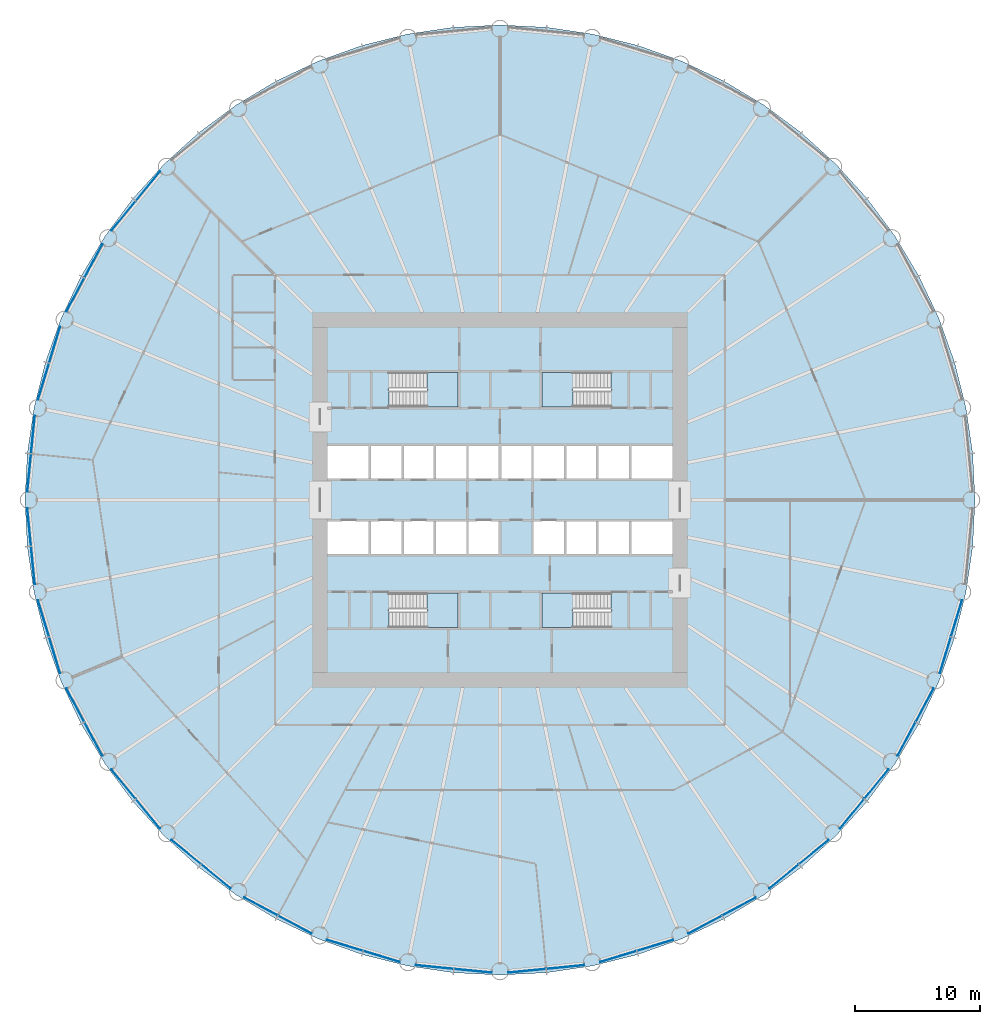
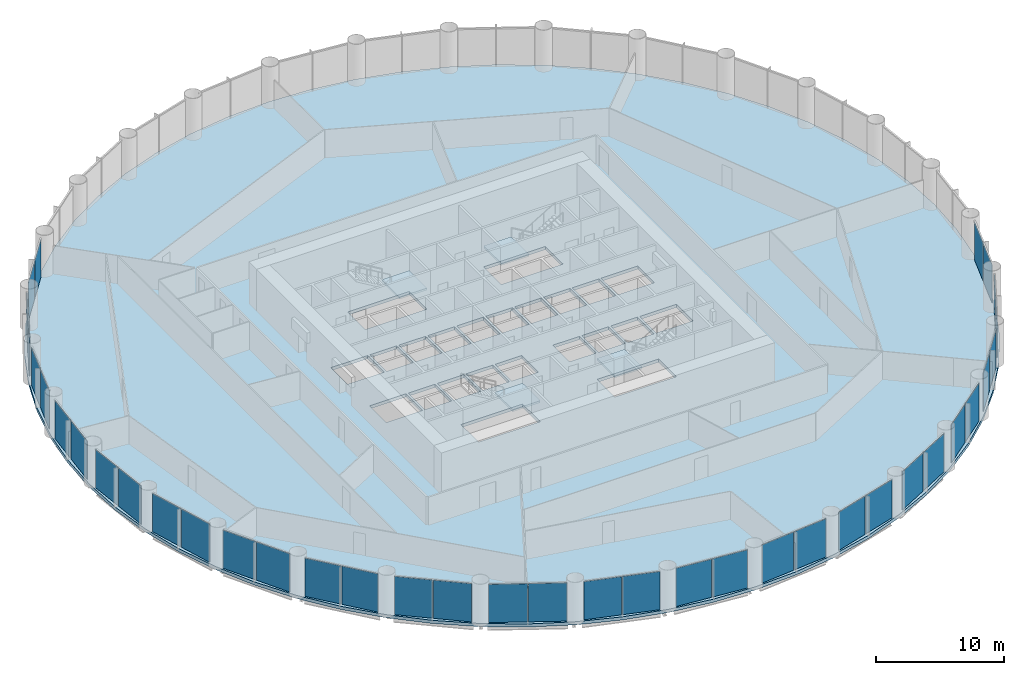
# One storey, part 8 of 15: 38 plates, 5 slabs, 23 elements without a shape of their own.
"""IFC4 building model written with IfcOpenShell, lengths in metres."""

from ifc_helpers import new_model, si_unit, direction, frame, origin, origin_2d, place, context, subcontext, project, spatial, polyline, rectangle, outline, extrude, material, layer, layer_set, type_object, element, aggregate, save


model = new_model("IFC4")

# Units and contexts
model_context = context("Model", 3, precision=1e-05, world=origin(), true_north=direction((0.0, 1.0)))
body_context = subcontext(model_context, "Body", "Model", "MODEL_VIEW")
ifc_project = project(units=[si_unit("LENGTHUNIT", "METRE"), si_unit("AREAUNIT", "SQUARE_METRE"), si_unit("VOLUMEUNIT", "CUBIC_METRE"), si_unit("PLANEANGLEUNIT", "RADIAN"), si_unit("MASSUNIT", "GRAM", prefix="KILO")], contexts=[model_context])

# Site, building, storey
site_placement = place(None, origin())
site = spatial("IfcSite", under=ifc_project, at=site_placement, CompositionType="ELEMENT")
building_placement = place(site_placement, origin())
building = spatial("IfcBuilding", under=site, at=building_placement, Name="Corvane Civic Tower", CompositionType="ELEMENT")
storey_placement = place(building_placement, frame((0.0, 0.0, 61.0)))
storey = spatial("IfcBuildingStorey", under=building, at=storey_placement, Name="L13", CompositionType="ELEMENT", Elevation=61.0)

# Slab
ifc_material_1 = material(Name="Concrete C40/50", Category="concrete")
ifc_layer_1 = layer(ifc_material_1, 0.300048828125)
ifc_layer_set_1 = layer_set([ifc_layer_1], Name="Concrete C40/50")
slab_type_1 = type_object("IfcSlabType", Name="FLOOR SLAB 300", PredefinedType="FLOOR", material=ifc_layer_set_1)
slab_1_placement = place(storey_placement, frame((0.0, 0.0, -0.300048828125)))
element("IfcSlab", 1, at=slab_1_placement, inside=storey, type_object=slab_type_1, Name="SLB-L13", PredefinedType="FLOOR", context=body_context, shape_type="SweptSolid", body=[
    extrude(outline(polyline([(0.0, 38.0), (-3.724609375, 37.817138671875), (-7.413330078125, 37.269775390625), (-11.03076171875, 36.36376953125), (-14.5419921875, 35.107421875), (-17.9130859375, 33.512939453125), (-21.111572265625, 31.595947265625), (-24.10693359375, 29.37451171875), (-26.8701171875, 26.8701171875), (-29.37451171875, 24.10693359375), (-31.595947265625, 21.111572265625), (-33.512939453125, 17.9130859375), (-35.107421875, 14.5419921875), (-36.36376953125, 11.03076171875), (-37.269775390625, 7.413330078125), (-37.817138671875, 3.724609375), (-38.0, 0.0), (-37.817138671875, -3.724609375), (-37.269775390625, -7.413330078125), (-36.36376953125, -11.03076171875), (-35.107421875, -14.5419921875), (-33.512939453125, -17.9130859375), (-31.595947265625, -21.111572265625), (-29.37451171875, -24.10693359375), (-26.8701171875, -26.8701171875), (-24.10693359375, -29.37451171875), (-21.111572265625, -31.595947265625), (-17.9130859375, -33.512939453125), (-14.5419921875, -35.107421875), (-11.03076171875, -36.36376953125), (-7.413330078125, -37.269775390625), (-3.724609375, -37.817138671875), (0.0, -38.0), (3.724609375, -37.817138671875), (7.413330078125, -37.269775390625), (11.03076171875, -36.36376953125), (14.5419921875, -35.107421875), (17.9130859375, -33.512939453125), (21.111572265625, -31.595947265625), (24.10693359375, -29.37451171875), (26.8701171875, -26.8701171875), (29.37451171875, -24.10693359375), (31.595947265625, -21.111572265625), (33.512939453125, -17.9130859375), (35.107421875, -14.5419921875), (36.36376953125, -11.03076171875), (37.269775390625, -7.413330078125), (37.817138671875, -3.724609375), (38.0, 0.0), (37.817138671875, 3.724609375), (37.269775390625, 7.413330078125), (36.36376953125, 11.03076171875), (35.107421875, 14.5419921875), (33.512939453125, 17.9130859375), (31.595947265625, 21.111572265625), (29.37451171875, 24.10693359375), (26.8701171875, 26.8701171875), (24.10693359375, 29.37451171875), (21.111572265625, 31.595947265625), (17.9130859375, 33.512939453125), (14.5419921875, 35.107421875), (11.03076171875, 36.36376953125), (7.413330078125, 37.269775390625), (3.724609375, 37.817138671875), (0.0, 38.0)]), holes=[polyline([(-13.800048828125, 4.300048828125), (-10.5, 4.300048828125), (-10.5, 1.699951171875), (-13.800048828125, 1.699951171875), (-13.800048828125, 4.300048828125)]), polyline([(-10.300048828125, 4.300048828125), (-7.89990234375, 4.300048828125), (-7.89990234375, 1.699951171875), (-10.300048828125, 1.699951171875), (-10.300048828125, 4.300048828125)]), polyline([(-5.300048828125, 1.699951171875), (-7.699951171875, 1.699951171875), (-7.699951171875, 4.300048828125), (-5.300048828125, 4.300048828125), (-5.300048828125, 1.699951171875)]), polyline([(-2.699951171875, 1.699951171875), (-5.10009765625, 1.699951171875), (-5.10009765625, 4.300048828125), (-2.699951171875, 4.300048828125), (-2.699951171875, 1.699951171875)]), polyline([(-2.5, 4.300048828125), (-0.10009765625, 4.300048828125), (-0.10009765625, 1.699951171875), (-2.5, 1.699951171875), (-2.5, 4.300048828125)]), polyline([(2.5, 4.300048828125), (2.5, 1.699951171875), (0.10009765625, 1.699951171875), (0.10009765625, 4.300048828125), (2.5, 4.300048828125)]), polyline([(2.699951171875, 4.300048828125), (5.10009765625, 4.300048828125), (5.10009765625, 1.699951171875), (2.699951171875, 1.699951171875), (2.699951171875, 4.300048828125)]), polyline([(5.300048828125, 4.300048828125), (7.699951171875, 4.300048828125), (7.699951171875, 1.699951171875), (5.300048828125, 1.699951171875), (5.300048828125, 4.300048828125)]), polyline([(7.89990234375, 4.300048828125), (10.300048828125, 4.300048828125), (10.300048828125, 1.699951171875), (7.89990234375, 1.699951171875), (7.89990234375, 4.300048828125)]), polyline([(13.800048828125, 1.699951171875), (10.5, 1.699951171875), (10.5, 4.300048828125), (13.800048828125, 4.300048828125), (13.800048828125, 1.699951171875)]), polyline([(-13.800048828125, -1.699951171875), (-10.5, -1.699951171875), (-10.5, -4.300048828125), (-13.800048828125, -4.300048828125), (-13.800048828125, -1.699951171875)]), polyline([(-7.89990234375, -1.699951171875), (-7.89990234375, -4.300048828125), (-10.300048828125, -4.300048828125), (-10.300048828125, -1.699951171875), (-7.89990234375, -1.699951171875)]), polyline([(-7.699951171875, -4.300048828125), (-7.699951171875, -1.699951171875), (-5.300048828125, -1.699951171875), (-5.300048828125, -4.300048828125), (-7.699951171875, -4.300048828125)]), polyline([(-5.10009765625, -4.300048828125), (-5.10009765625, -1.699951171875), (-2.699951171875, -1.699951171875), (-2.699951171875, -4.300048828125), (-5.10009765625, -4.300048828125)]), polyline([(-0.10009765625, -1.699951171875), (-0.10009765625, -4.300048828125), (-2.5, -4.300048828125), (-2.5, -1.699951171875), (-0.10009765625, -1.699951171875)]), polyline([(5.10009765625, -1.699951171875), (5.10009765625, -4.300048828125), (2.699951171875, -4.300048828125), (2.699951171875, -1.699951171875), (5.10009765625, -1.699951171875)]), polyline([(7.699951171875, -1.699951171875), (7.699951171875, -4.300048828125), (5.300048828125, -4.300048828125), (5.300048828125, -1.699951171875), (7.699951171875, -1.699951171875)]), polyline([(10.300048828125, -1.699951171875), (10.300048828125, -4.300048828125), (7.89990234375, -4.300048828125), (7.89990234375, -1.699951171875), (10.300048828125, -1.699951171875)]), polyline([(13.800048828125, -4.300048828125), (10.5, -4.300048828125), (10.5, -1.699951171875), (13.800048828125, -1.699951171875), (13.800048828125, -4.300048828125)]), polyline([(8.889892578125, 10.199951171875), (8.889892578125, 7.449951171875), (3.35009765625, 7.449951171875), (3.35009765625, 10.199951171875), (8.889892578125, 10.199951171875)]), polyline([(-8.889892578125, 7.449951171875), (-8.889892578125, 10.199951171875), (-3.35009765625, 10.199951171875), (-3.35009765625, 7.449951171875), (-8.889892578125, 7.449951171875)]), polyline([(8.889892578125, -7.449951171875), (8.889892578125, -10.199951171875), (3.35009765625, -10.199951171875), (3.35009765625, -7.449951171875), (8.889892578125, -7.449951171875)]), polyline([(-8.889892578125, -10.199951171875), (-8.889892578125, -7.449951171875), (-3.35009765625, -7.449951171875), (-3.35009765625, -10.199951171875), (-8.889892578125, -10.199951171875)])]), origin(), (0.0, 0.0, 1.0), 0.300048828125),
])

# Stair, slab
ifc_material_2 = material(Name="Concrete C40/50", Category="concrete")
stair_type = type_object("IfcStairType", Name="ST-STAIR-HALFTURN", PredefinedType="HALF_TURN_STAIR", material=ifc_material_2)
stair_1_placement = place(storey_placement, origin())
stair_1 = element("IfcStair", 2, at=stair_1_placement, inside=storey, type_object=stair_type, Name="L13 Exit stair ST1", PredefinedType="HALF_TURN_STAIR")
ifc_material_3 = material(Name="Concrete C40/50", Category="concrete")
ifc_layer_2 = layer(ifc_material_3, 0.199951171875)
ifc_layer_set_2 = layer_set([ifc_layer_2], Name="Concrete C40/50")
slab_type_2 = type_object("IfcSlabType", Name="ST-LANDING-RC", PredefinedType="LANDING", material=ifc_layer_set_2)
slab_2_placement = place(storey_placement, frame((0.0, 0.0, 1.800048828125)))
slab_2 = element("IfcSlab", 3, at=slab_2_placement, type_object=slab_type_2, Name="ST1 landing 1", PredefinedType="LANDING", context=body_context, shape_type="SweptSolid", body=[
    extrude(outline(polyline([(5.820068359375, 10.199951171875), (3.35009765625, 10.199951171875), (3.35009765625, 7.449951171875), (5.820068359375, 7.449951171875), (5.820068359375, 10.199951171875)])), origin(), (0.0, 0.0, 1.0), 0.199951171875),
])
aggregate(stair_1, [slab_2])

stair_2_placement = place(storey_placement, origin())
stair_2 = element("IfcStair", 4, at=stair_2_placement, inside=storey, type_object=stair_type, Name="L13 Exit stair ST2", PredefinedType="HALF_TURN_STAIR")
slab_3_placement = place(storey_placement, frame((0.0, 0.0, 1.800048828125)))
slab_3 = element("IfcSlab", 5, at=slab_3_placement, type_object=slab_type_2, Name="ST2 landing 1", PredefinedType="LANDING", context=body_context, shape_type="SweptSolid", body=[
    extrude(outline(polyline([(5.820068359375, -7.449951171875), (3.35009765625, -7.449951171875), (3.35009765625, -10.199951171875), (5.820068359375, -10.199951171875), (5.820068359375, -7.449951171875)])), origin(), (0.0, 0.0, 1.0), 0.199951171875),
])
aggregate(stair_2, [slab_3])

stair_3_placement = place(storey_placement, origin())
stair_3 = element("IfcStair", 6, at=stair_3_placement, inside=storey, type_object=stair_type, Name="L13 Exit stair ST3", PredefinedType="HALF_TURN_STAIR")
slab_4_placement = place(storey_placement, frame((0.0, 0.0, 1.800048828125)))
slab_4 = element("IfcSlab", 7, at=slab_4_placement, type_object=slab_type_2, Name="ST3 landing 1", PredefinedType="LANDING", context=body_context, shape_type="SweptSolid", body=[
    extrude(outline(polyline([(-5.820068359375, -10.199951171875), (-3.35009765625, -10.199951171875), (-3.35009765625, -7.449951171875), (-5.820068359375, -7.449951171875), (-5.820068359375, -10.199951171875)])), origin(), (0.0, 0.0, 1.0), 0.199951171875),
])
aggregate(stair_3, [slab_4])

stair_4_placement = place(storey_placement, origin())
stair_4 = element("IfcStair", 8, at=stair_4_placement, inside=storey, type_object=stair_type, Name="L13 Exit stair ST4", PredefinedType="HALF_TURN_STAIR")
slab_5_placement = place(storey_placement, frame((0.0, 0.0, 1.800048828125)))
slab_5 = element("IfcSlab", 9, at=slab_5_placement, type_object=slab_type_2, Name="ST4 landing 1", PredefinedType="LANDING", context=body_context, shape_type="SweptSolid", body=[
    extrude(outline(polyline([(-5.820068359375, 7.449951171875), (-3.35009765625, 7.449951171875), (-3.35009765625, 10.199951171875), (-5.820068359375, 10.199951171875), (-5.820068359375, 7.449951171875)])), origin(), (0.0, 0.0, 1.0), 0.199951171875),
])
aggregate(stair_4, [slab_5])

# Curtain wall, plates
ifc_material_4 = material(Name="Anodised aluminium bronze", Category="aluminium")
curtain_wall_type = type_object("IfcCurtainWallType", Name="TOWER CW-T1 STICK CURTAIN WALL", PredefinedType="NOTDEFINED", material=ifc_material_4)
curtain_wall_1_placement = place(storey_placement, origin())
curtain_wall_1 = element("IfcCurtainWall", 10, at=curtain_wall_1_placement, inside=storey, type_object=curtain_wall_type, Name="Curtain wall CW-T1 L13 bay 10", PredefinedType="NOTDEFINED")
ifc_material_5 = material(Name="Tinted glass", Category="glass")
ifc_layer_3 = layer(ifc_material_5, 0.035888671875)
ifc_layer_set_3 = layer_set([ifc_layer_3], Name="Tinted glass")
plate_type = type_object("IfcPlateType", Name="TOWER CW-T1 PANEL IGU36", PredefinedType="CURTAIN_PANEL", material=ifc_layer_set_3)
plate_1_placement = place(storey_placement, frame((36.522705078125, -9.46533203125, 0.0), z_axis=(0.0, 0.0, 1.0), x_axis=(-0.290278397654, -0.956942240606, 0.0)))
plate_1 = element("IfcPlate", 11, at=plate_1_placement, type_object=plate_type, Name="Glass panel CW-T1 L13 10.1", PredefinedType="CURTAIN_PANEL", context=body_context, shape_type="SweptSolid", body=[
    extrude(rectangle(XDim=3.008544921875, YDim=0.035888671875, at=origin_2d()), origin(), (0.0, 0.0, 1.0), 3.6298828125),
])
plate_2_placement = place(storey_placement, frame((35.6259765625, -12.4208984375, 0.0), z_axis=(0.0, 0.0, 1.0), x_axis=(-0.290278397654, -0.956942240606, 0.0)))
plate_2 = element("IfcPlate", 12, at=plate_2_placement, type_object=plate_type, Name="Glass panel CW-T1 L13 10.2", PredefinedType="CURTAIN_PANEL", context=body_context, shape_type="SweptSolid", body=[
    extrude(rectangle(XDim=3.008544921875, YDim=0.035888671875, at=origin_2d()), origin(), (0.0, 0.0, 1.0), 3.6298828125),
])
aggregate(curtain_wall_1, [plate_1, plate_2])

curtain_wall_2_placement = place(storey_placement, origin())
curtain_wall_2 = element("IfcCurtainWall", 13, at=curtain_wall_2_placement, inside=storey, type_object=curtain_wall_type, Name="Curtain wall CW-T1 L13 bay 11", PredefinedType="NOTDEFINED")
plate_3_placement = place(storey_placement, frame((33.974365234375, -16.40869140625, 0.0), z_axis=(0.0, 0.0, 1.0), x_axis=(-0.471403725359, -0.881917528864, 0.0)))
plate_3 = element("IfcPlate", 14, at=plate_3_placement, type_object=plate_type, Name="Glass panel CW-T1 L13 11.1", PredefinedType="CURTAIN_PANEL", context=body_context, shape_type="SweptSolid", body=[
    extrude(rectangle(XDim=3.008544921875, YDim=0.035888671875, at=origin_2d()), origin(), (0.0, 0.0, 1.0), 3.6298828125),
])
plate_4_placement = place(storey_placement, frame((32.518310546875, -19.132568359375, 0.0), z_axis=(0.0, 0.0, 1.0), x_axis=(-0.471403725359, -0.881917528864, 0.0)))
plate_4 = element("IfcPlate", 15, at=plate_4_placement, type_object=plate_type, Name="Glass panel CW-T1 L13 11.2", PredefinedType="CURTAIN_PANEL", context=body_context, shape_type="SweptSolid", body=[
    extrude(rectangle(XDim=3.008544921875, YDim=0.035888671875, at=origin_2d()), origin(), (0.0, 0.0, 1.0), 3.6298828125),
])
aggregate(curtain_wall_2, [plate_3, plate_4])

curtain_wall_3_placement = place(storey_placement, origin())
curtain_wall_3 = element("IfcCurtainWall", 16, at=curtain_wall_3_placement, inside=storey, type_object=curtain_wall_type, Name="Curtain wall CW-T1 L13 bay 12", PredefinedType="NOTDEFINED")
plate_5_placement = place(storey_placement, frame((30.120361328125, -22.721435546875, 0.0), z_axis=(0.0, 0.0, 1.0), x_axis=(-0.634397218569, -0.773007224463, 0.0)))
plate_5 = element("IfcPlate", 17, at=plate_5_placement, type_object=plate_type, Name="Glass panel CW-T1 L13 12.1", PredefinedType="CURTAIN_PANEL", context=body_context, shape_type="SweptSolid", body=[
    extrude(rectangle(XDim=3.008544921875, YDim=0.035888671875, at=origin_2d()), origin(), (0.0, 0.0, 1.0), 3.6298828125),
])
plate_6_placement = place(storey_placement, frame((28.160888671875, -25.10888671875, 0.0), z_axis=(0.0, 0.0, 1.0), x_axis=(-0.634397218569, -0.773007224463, 0.0)))
plate_6 = element("IfcPlate", 18, at=plate_6_placement, type_object=plate_type, Name="Glass panel CW-T1 L13 12.2", PredefinedType="CURTAIN_PANEL", context=body_context, shape_type="SweptSolid", body=[
    extrude(rectangle(XDim=3.008544921875, YDim=0.035888671875, at=origin_2d()), origin(), (0.0, 0.0, 1.0), 3.6298828125),
])
aggregate(curtain_wall_3, [plate_5, plate_6])

curtain_wall_4_placement = place(storey_placement, origin())
curtain_wall_4 = element("IfcCurtainWall", 19, at=curtain_wall_4_placement, inside=storey, type_object=curtain_wall_type, Name="Curtain wall CW-T1 L13 bay 13", PredefinedType="NOTDEFINED")
plate_7_placement = place(storey_placement, frame((25.10888671875, -28.160888671875, 0.0), z_axis=(0.0, 0.0, 1.0), x_axis=(-0.773007224463, -0.634397218569, 0.0)))
plate_7 = element("IfcPlate", 20, at=plate_7_placement, type_object=plate_type, Name="Glass panel CW-T1 L13 13.1", PredefinedType="CURTAIN_PANEL", context=body_context, shape_type="SweptSolid", body=[
    extrude(rectangle(XDim=3.008544921875, YDim=0.035888671875, at=origin_2d()), origin(), (0.0, 0.0, 1.0), 3.6298828125),
])
plate_8_placement = place(storey_placement, frame((22.721435546875, -30.120361328125, 0.0), z_axis=(0.0, 0.0, 1.0), x_axis=(-0.773007224463, -0.634397218569, 0.0)))
plate_8 = element("IfcPlate", 21, at=plate_8_placement, type_object=plate_type, Name="Glass panel CW-T1 L13 13.2", PredefinedType="CURTAIN_PANEL", context=body_context, shape_type="SweptSolid", body=[
    extrude(rectangle(XDim=3.008544921875, YDim=0.035888671875, at=origin_2d()), origin(), (0.0, 0.0, 1.0), 3.6298828125),
])
aggregate(curtain_wall_4, [plate_7, plate_8])

curtain_wall_5_placement = place(storey_placement, origin())
curtain_wall_5 = element("IfcCurtainWall", 22, at=curtain_wall_5_placement, inside=storey, type_object=curtain_wall_type, Name="Curtain wall CW-T1 L13 bay 14", PredefinedType="NOTDEFINED")
plate_9_placement = place(storey_placement, frame((19.132568359375, -32.518310546875, 0.0), z_axis=(0.0, 0.0, 1.0), x_axis=(-0.881917528864, -0.471403725359, 0.0)))
plate_9 = element("IfcPlate", 23, at=plate_9_placement, type_object=plate_type, Name="Glass panel CW-T1 L13 14.1", PredefinedType="CURTAIN_PANEL", context=body_context, shape_type="SweptSolid", body=[
    extrude(rectangle(XDim=3.008544921875, YDim=0.035888671875, at=origin_2d()), origin(), (0.0, 0.0, 1.0), 3.6298828125),
])
plate_10_placement = place(storey_placement, frame((16.40869140625, -33.974365234375, 0.0), z_axis=(0.0, 0.0, 1.0), x_axis=(-0.881917528864, -0.471403725359, 0.0)))
plate_10 = element("IfcPlate", 24, at=plate_10_placement, type_object=plate_type, Name="Glass panel CW-T1 L13 14.2", PredefinedType="CURTAIN_PANEL", context=body_context, shape_type="SweptSolid", body=[
    extrude(rectangle(XDim=3.008544921875, YDim=0.035888671875, at=origin_2d()), origin(), (0.0, 0.0, 1.0), 3.6298828125),
])
aggregate(curtain_wall_5, [plate_9, plate_10])

curtain_wall_6_placement = place(storey_placement, origin())
curtain_wall_6 = element("IfcCurtainWall", 25, at=curtain_wall_6_placement, inside=storey, type_object=curtain_wall_type, Name="Curtain wall CW-T1 L13 bay 15", PredefinedType="NOTDEFINED")
plate_11_placement = place(storey_placement, frame((12.4208984375, -35.6259765625, 0.0), z_axis=(0.0, 0.0, 1.0), x_axis=(-0.956942240606, -0.290278397654, 0.0)))
plate_11 = element("IfcPlate", 26, at=plate_11_placement, type_object=plate_type, Name="Glass panel CW-T1 L13 15.1", PredefinedType="CURTAIN_PANEL", context=body_context, shape_type="SweptSolid", body=[
    extrude(rectangle(XDim=3.008544921875, YDim=0.035888671875, at=origin_2d()), origin(), (0.0, 0.0, 1.0), 3.6298828125),
])
plate_12_placement = place(storey_placement, frame((9.46533203125, -36.522705078125, 0.0), z_axis=(0.0, 0.0, 1.0), x_axis=(-0.956942240606, -0.290278397654, 0.0)))
plate_12 = element("IfcPlate", 27, at=plate_12_placement, type_object=plate_type, Name="Glass panel CW-T1 L13 15.2", PredefinedType="CURTAIN_PANEL", context=body_context, shape_type="SweptSolid", body=[
    extrude(rectangle(XDim=3.008544921875, YDim=0.035888671875, at=origin_2d()), origin(), (0.0, 0.0, 1.0), 3.6298828125),
])
aggregate(curtain_wall_6, [plate_11, plate_12])

curtain_wall_7_placement = place(storey_placement, origin())
curtain_wall_7 = element("IfcCurtainWall", 28, at=curtain_wall_7_placement, inside=storey, type_object=curtain_wall_type, Name="Curtain wall CW-T1 L13 bay 16", PredefinedType="NOTDEFINED")
plate_13_placement = place(storey_placement, frame((5.23193359375, -37.36474609375, 0.0), z_axis=(0.0, 0.0, 1.0), x_axis=(-0.995185800248, -0.098006239521, 0.0)))
plate_13 = element("IfcPlate", 29, at=plate_13_placement, type_object=plate_type, Name="Glass panel CW-T1 L13 16.1", PredefinedType="CURTAIN_PANEL", context=body_context, shape_type="SweptSolid", body=[
    extrude(rectangle(XDim=3.008544921875, YDim=0.035888671875, at=origin_2d()), origin(), (0.0, 0.0, 1.0), 3.6298828125),
])
plate_14_placement = place(storey_placement, frame((2.158203125, -37.667236328125, 0.0), z_axis=(0.0, 0.0, 1.0), x_axis=(-0.995185800248, -0.098006239521, 0.0)))
plate_14 = element("IfcPlate", 30, at=plate_14_placement, type_object=plate_type, Name="Glass panel CW-T1 L13 16.2", PredefinedType="CURTAIN_PANEL", context=body_context, shape_type="SweptSolid", body=[
    extrude(rectangle(XDim=3.008544921875, YDim=0.035888671875, at=origin_2d()), origin(), (0.0, 0.0, 1.0), 3.6298828125),
])
aggregate(curtain_wall_7, [plate_13, plate_14])

curtain_wall_8_placement = place(storey_placement, origin())
curtain_wall_8 = element("IfcCurtainWall", 31, at=curtain_wall_8_placement, inside=storey, type_object=curtain_wall_type, Name="Curtain wall CW-T1 L13 bay 17", PredefinedType="NOTDEFINED")
plate_15_placement = place(storey_placement, frame((-2.158203125, -37.667236328125, 0.0), z_axis=(0.0, 0.0, 1.0), x_axis=(-0.995185800248, 0.098006239521, 0.0)))
plate_15 = element("IfcPlate", 32, at=plate_15_placement, type_object=plate_type, Name="Glass panel CW-T1 L13 17.1", PredefinedType="CURTAIN_PANEL", context=body_context, shape_type="SweptSolid", body=[
    extrude(rectangle(XDim=3.008544921875, YDim=0.035888671875, at=origin_2d()), origin(), (0.0, 0.0, 1.0), 3.6298828125),
])
plate_16_placement = place(storey_placement, frame((-5.23193359375, -37.36474609375, 0.0), z_axis=(0.0, 0.0, 1.0), x_axis=(-0.995185800248, 0.098006239521, 0.0)))
plate_16 = element("IfcPlate", 33, at=plate_16_placement, type_object=plate_type, Name="Glass panel CW-T1 L13 17.2", PredefinedType="CURTAIN_PANEL", context=body_context, shape_type="SweptSolid", body=[
    extrude(rectangle(XDim=3.008544921875, YDim=0.035888671875, at=origin_2d()), origin(), (0.0, 0.0, 1.0), 3.6298828125),
])
aggregate(curtain_wall_8, [plate_15, plate_16])

curtain_wall_9_placement = place(storey_placement, origin())
curtain_wall_9 = element("IfcCurtainWall", 34, at=curtain_wall_9_placement, inside=storey, type_object=curtain_wall_type, Name="Curtain wall CW-T1 L13 bay 18", PredefinedType="NOTDEFINED")
plate_17_placement = place(storey_placement, frame((-9.46533203125, -36.522705078125, 0.0), z_axis=(0.0, 0.0, 1.0), x_axis=(-0.956942240606, 0.290278397654, 0.0)))
plate_17 = element("IfcPlate", 35, at=plate_17_placement, type_object=plate_type, Name="Glass panel CW-T1 L13 18.1", PredefinedType="CURTAIN_PANEL", context=body_context, shape_type="SweptSolid", body=[
    extrude(rectangle(XDim=3.008544921875, YDim=0.035888671875, at=origin_2d()), origin(), (0.0, 0.0, 1.0), 3.6298828125),
])
plate_18_placement = place(storey_placement, frame((-12.4208984375, -35.6259765625, 0.0), z_axis=(0.0, 0.0, 1.0), x_axis=(-0.956942240606, 0.290278397654, 0.0)))
plate_18 = element("IfcPlate", 36, at=plate_18_placement, type_object=plate_type, Name="Glass panel CW-T1 L13 18.2", PredefinedType="CURTAIN_PANEL", context=body_context, shape_type="SweptSolid", body=[
    extrude(rectangle(XDim=3.008544921875, YDim=0.035888671875, at=origin_2d()), origin(), (0.0, 0.0, 1.0), 3.6298828125),
])
aggregate(curtain_wall_9, [plate_17, plate_18])

curtain_wall_10_placement = place(storey_placement, origin())
curtain_wall_10 = element("IfcCurtainWall", 37, at=curtain_wall_10_placement, inside=storey, type_object=curtain_wall_type, Name="Curtain wall CW-T1 L13 bay 19", PredefinedType="NOTDEFINED")
plate_19_placement = place(storey_placement, frame((-16.40869140625, -33.974365234375, 0.0), z_axis=(0.0, 0.0, 1.0), x_axis=(-0.881917528864, 0.471403725359, 0.0)))
plate_19 = element("IfcPlate", 38, at=plate_19_placement, type_object=plate_type, Name="Glass panel CW-T1 L13 19.1", PredefinedType="CURTAIN_PANEL", context=body_context, shape_type="SweptSolid", body=[
    extrude(rectangle(XDim=3.008544921875, YDim=0.035888671875, at=origin_2d()), origin(), (0.0, 0.0, 1.0), 3.6298828125),
])
plate_20_placement = place(storey_placement, frame((-19.132568359375, -32.518310546875, 0.0), z_axis=(0.0, 0.0, 1.0), x_axis=(-0.881917528864, 0.471403725359, 0.0)))
plate_20 = element("IfcPlate", 39, at=plate_20_placement, type_object=plate_type, Name="Glass panel CW-T1 L13 19.2", PredefinedType="CURTAIN_PANEL", context=body_context, shape_type="SweptSolid", body=[
    extrude(rectangle(XDim=3.008544921875, YDim=0.035888671875, at=origin_2d()), origin(), (0.0, 0.0, 1.0), 3.6298828125),
])
aggregate(curtain_wall_10, [plate_19, plate_20])

curtain_wall_11_placement = place(storey_placement, origin())
curtain_wall_11 = element("IfcCurtainWall", 40, at=curtain_wall_11_placement, inside=storey, type_object=curtain_wall_type, Name="Curtain wall CW-T1 L13 bay 20", PredefinedType="NOTDEFINED")
plate_21_placement = place(storey_placement, frame((-22.721435546875, -30.120361328125, 0.0), z_axis=(0.0, 0.0, 1.0), x_axis=(-0.773007224463, 0.634397218569, 0.0)))
plate_21 = element("IfcPlate", 41, at=plate_21_placement, type_object=plate_type, Name="Glass panel CW-T1 L13 20.1", PredefinedType="CURTAIN_PANEL", context=body_context, shape_type="SweptSolid", body=[
    extrude(rectangle(XDim=3.008544921875, YDim=0.035888671875, at=origin_2d()), origin(), (0.0, 0.0, 1.0), 3.6298828125),
])
plate_22_placement = place(storey_placement, frame((-25.10888671875, -28.160888671875, 0.0), z_axis=(0.0, 0.0, 1.0), x_axis=(-0.773007224463, 0.634397218569, 0.0)))
plate_22 = element("IfcPlate", 42, at=plate_22_placement, type_object=plate_type, Name="Glass panel CW-T1 L13 20.2", PredefinedType="CURTAIN_PANEL", context=body_context, shape_type="SweptSolid", body=[
    extrude(rectangle(XDim=3.008544921875, YDim=0.035888671875, at=origin_2d()), origin(), (0.0, 0.0, 1.0), 3.6298828125),
])
aggregate(curtain_wall_11, [plate_21, plate_22])

curtain_wall_12_placement = place(storey_placement, origin())
curtain_wall_12 = element("IfcCurtainWall", 43, at=curtain_wall_12_placement, inside=storey, type_object=curtain_wall_type, Name="Curtain wall CW-T1 L13 bay 21", PredefinedType="NOTDEFINED")
plate_23_placement = place(storey_placement, frame((-28.160888671875, -25.10888671875, 0.0), z_axis=(0.0, 0.0, 1.0), x_axis=(-0.634397218569, 0.773007224463, 0.0)))
plate_23 = element("IfcPlate", 44, at=plate_23_placement, type_object=plate_type, Name="Glass panel CW-T1 L13 21.1", PredefinedType="CURTAIN_PANEL", context=body_context, shape_type="SweptSolid", body=[
    extrude(rectangle(XDim=3.008544921875, YDim=0.035888671875, at=origin_2d()), origin(), (0.0, 0.0, 1.0), 3.6298828125),
])
plate_24_placement = place(storey_placement, frame((-30.120361328125, -22.721435546875, 0.0), z_axis=(0.0, 0.0, 1.0), x_axis=(-0.634397218569, 0.773007224463, 0.0)))
plate_24 = element("IfcPlate", 45, at=plate_24_placement, type_object=plate_type, Name="Glass panel CW-T1 L13 21.2", PredefinedType="CURTAIN_PANEL", context=body_context, shape_type="SweptSolid", body=[
    extrude(rectangle(XDim=3.008544921875, YDim=0.035888671875, at=origin_2d()), origin(), (0.0, 0.0, 1.0), 3.6298828125),
])
aggregate(curtain_wall_12, [plate_23, plate_24])

curtain_wall_13_placement = place(storey_placement, origin())
curtain_wall_13 = element("IfcCurtainWall", 46, at=curtain_wall_13_placement, inside=storey, type_object=curtain_wall_type, Name="Curtain wall CW-T1 L13 bay 22", PredefinedType="NOTDEFINED")
plate_25_placement = place(storey_placement, frame((-32.518310546875, -19.132568359375, 0.0), z_axis=(0.0, 0.0, 1.0), x_axis=(-0.471403725359, 0.881917528864, 0.0)))
plate_25 = element("IfcPlate", 47, at=plate_25_placement, type_object=plate_type, Name="Glass panel CW-T1 L13 22.1", PredefinedType="CURTAIN_PANEL", context=body_context, shape_type="SweptSolid", body=[
    extrude(rectangle(XDim=3.008544921875, YDim=0.035888671875, at=origin_2d()), origin(), (0.0, 0.0, 1.0), 3.6298828125),
])
plate_26_placement = place(storey_placement, frame((-33.974365234375, -16.40869140625, 0.0), z_axis=(0.0, 0.0, 1.0), x_axis=(-0.471403725359, 0.881917528864, 0.0)))
plate_26 = element("IfcPlate", 48, at=plate_26_placement, type_object=plate_type, Name="Glass panel CW-T1 L13 22.2", PredefinedType="CURTAIN_PANEL", context=body_context, shape_type="SweptSolid", body=[
    extrude(rectangle(XDim=3.008544921875, YDim=0.035888671875, at=origin_2d()), origin(), (0.0, 0.0, 1.0), 3.6298828125),
])
aggregate(curtain_wall_13, [plate_25, plate_26])

curtain_wall_14_placement = place(storey_placement, origin())
curtain_wall_14 = element("IfcCurtainWall", 49, at=curtain_wall_14_placement, inside=storey, type_object=curtain_wall_type, Name="Curtain wall CW-T1 L13 bay 23", PredefinedType="NOTDEFINED")
plate_27_placement = place(storey_placement, frame((-35.6259765625, -12.4208984375, 0.0), z_axis=(0.0, 0.0, 1.0), x_axis=(-0.290278397654, 0.956942240606, 0.0)))
plate_27 = element("IfcPlate", 50, at=plate_27_placement, type_object=plate_type, Name="Glass panel CW-T1 L13 23.1", PredefinedType="CURTAIN_PANEL", context=body_context, shape_type="SweptSolid", body=[
    extrude(rectangle(XDim=3.008544921875, YDim=0.035888671875, at=origin_2d()), origin(), (0.0, 0.0, 1.0), 3.6298828125),
])
plate_28_placement = place(storey_placement, frame((-36.522705078125, -9.46533203125, 0.0), z_axis=(0.0, 0.0, 1.0), x_axis=(-0.290278397654, 0.956942240606, 0.0)))
plate_28 = element("IfcPlate", 51, at=plate_28_placement, type_object=plate_type, Name="Glass panel CW-T1 L13 23.2", PredefinedType="CURTAIN_PANEL", context=body_context, shape_type="SweptSolid", body=[
    extrude(rectangle(XDim=3.008544921875, YDim=0.035888671875, at=origin_2d()), origin(), (0.0, 0.0, 1.0), 3.6298828125),
])
aggregate(curtain_wall_14, [plate_27, plate_28])

curtain_wall_15_placement = place(storey_placement, origin())
curtain_wall_15 = element("IfcCurtainWall", 52, at=curtain_wall_15_placement, inside=storey, type_object=curtain_wall_type, Name="Curtain wall CW-T1 L13 bay 24", PredefinedType="NOTDEFINED")
plate_29_placement = place(storey_placement, frame((-37.36474609375, -5.23193359375, 0.0), z_axis=(0.0, 0.0, 1.0), x_axis=(-0.098006239521, 0.995185800248, 0.0)))
plate_29 = element("IfcPlate", 53, at=plate_29_placement, type_object=plate_type, Name="Glass panel CW-T1 L13 24.1", PredefinedType="CURTAIN_PANEL", context=body_context, shape_type="SweptSolid", body=[
    extrude(rectangle(XDim=3.008544921875, YDim=0.035888671875, at=origin_2d()), origin(), (0.0, 0.0, 1.0), 3.6298828125),
])
plate_30_placement = place(storey_placement, frame((-37.667236328125, -2.158203125, 0.0), z_axis=(0.0, 0.0, 1.0), x_axis=(-0.098006239521, 0.995185800248, 0.0)))
plate_30 = element("IfcPlate", 54, at=plate_30_placement, type_object=plate_type, Name="Glass panel CW-T1 L13 24.2", PredefinedType="CURTAIN_PANEL", context=body_context, shape_type="SweptSolid", body=[
    extrude(rectangle(XDim=3.008544921875, YDim=0.035888671875, at=origin_2d()), origin(), (0.0, 0.0, 1.0), 3.6298828125),
])
aggregate(curtain_wall_15, [plate_29, plate_30])

curtain_wall_16_placement = place(storey_placement, origin())
curtain_wall_16 = element("IfcCurtainWall", 55, at=curtain_wall_16_placement, inside=storey, type_object=curtain_wall_type, Name="Curtain wall CW-T1 L13 bay 25", PredefinedType="NOTDEFINED")
plate_31_placement = place(storey_placement, frame((-37.667236328125, 2.158203125, 0.0), z_axis=(0.0, 0.0, 1.0), x_axis=(0.098006239521, 0.995185800248, 0.0)))
plate_31 = element("IfcPlate", 56, at=plate_31_placement, type_object=plate_type, Name="Glass panel CW-T1 L13 25.1", PredefinedType="CURTAIN_PANEL", context=body_context, shape_type="SweptSolid", body=[
    extrude(rectangle(XDim=3.008544921875, YDim=0.035888671875, at=origin_2d()), origin(), (0.0, 0.0, 1.0), 3.6298828125),
])
plate_32_placement = place(storey_placement, frame((-37.36474609375, 5.23193359375, 0.0), z_axis=(0.0, 0.0, 1.0), x_axis=(0.098006239521, 0.995185800248, 0.0)))
plate_32 = element("IfcPlate", 57, at=plate_32_placement, type_object=plate_type, Name="Glass panel CW-T1 L13 25.2", PredefinedType="CURTAIN_PANEL", context=body_context, shape_type="SweptSolid", body=[
    extrude(rectangle(XDim=3.008544921875, YDim=0.035888671875, at=origin_2d()), origin(), (0.0, 0.0, 1.0), 3.6298828125),
])
aggregate(curtain_wall_16, [plate_31, plate_32])

curtain_wall_17_placement = place(storey_placement, origin())
curtain_wall_17 = element("IfcCurtainWall", 58, at=curtain_wall_17_placement, inside=storey, type_object=curtain_wall_type, Name="Curtain wall CW-T1 L13 bay 26", PredefinedType="NOTDEFINED")
plate_33_placement = place(storey_placement, frame((-36.522705078125, 9.46533203125, 0.0), z_axis=(0.0, 0.0, 1.0), x_axis=(0.290278397654, 0.956942240606, 0.0)))
plate_33 = element("IfcPlate", 59, at=plate_33_placement, type_object=plate_type, Name="Glass panel CW-T1 L13 26.1", PredefinedType="CURTAIN_PANEL", context=body_context, shape_type="SweptSolid", body=[
    extrude(rectangle(XDim=3.008544921875, YDim=0.035888671875, at=origin_2d()), origin(), (0.0, 0.0, 1.0), 3.6298828125),
])
plate_34_placement = place(storey_placement, frame((-35.6259765625, 12.4208984375, 0.0), z_axis=(0.0, 0.0, 1.0), x_axis=(0.290278397654, 0.956942240606, 0.0)))
plate_34 = element("IfcPlate", 60, at=plate_34_placement, type_object=plate_type, Name="Glass panel CW-T1 L13 26.2", PredefinedType="CURTAIN_PANEL", context=body_context, shape_type="SweptSolid", body=[
    extrude(rectangle(XDim=3.008544921875, YDim=0.035888671875, at=origin_2d()), origin(), (0.0, 0.0, 1.0), 3.6298828125),
])
aggregate(curtain_wall_17, [plate_33, plate_34])

curtain_wall_18_placement = place(storey_placement, origin())
curtain_wall_18 = element("IfcCurtainWall", 61, at=curtain_wall_18_placement, inside=storey, type_object=curtain_wall_type, Name="Curtain wall CW-T1 L13 bay 27", PredefinedType="NOTDEFINED")
plate_35_placement = place(storey_placement, frame((-33.974365234375, 16.40869140625, 0.0), z_axis=(0.0, 0.0, 1.0), x_axis=(0.471403725359, 0.881917528864, 0.0)))
plate_35 = element("IfcPlate", 62, at=plate_35_placement, type_object=plate_type, Name="Glass panel CW-T1 L13 27.1", PredefinedType="CURTAIN_PANEL", context=body_context, shape_type="SweptSolid", body=[
    extrude(rectangle(XDim=3.008544921875, YDim=0.035888671875, at=origin_2d()), origin(), (0.0, 0.0, 1.0), 3.6298828125),
])
plate_36_placement = place(storey_placement, frame((-32.518310546875, 19.132568359375, 0.0), z_axis=(0.0, 0.0, 1.0), x_axis=(0.471403725359, 0.881917528864, 0.0)))
plate_36 = element("IfcPlate", 63, at=plate_36_placement, type_object=plate_type, Name="Glass panel CW-T1 L13 27.2", PredefinedType="CURTAIN_PANEL", context=body_context, shape_type="SweptSolid", body=[
    extrude(rectangle(XDim=3.008544921875, YDim=0.035888671875, at=origin_2d()), origin(), (0.0, 0.0, 1.0), 3.6298828125),
])
aggregate(curtain_wall_18, [plate_35, plate_36])

curtain_wall_19_placement = place(storey_placement, origin())
curtain_wall_19 = element("IfcCurtainWall", 64, at=curtain_wall_19_placement, inside=storey, type_object=curtain_wall_type, Name="Curtain wall CW-T1 L13 bay 28", PredefinedType="NOTDEFINED")
plate_37_placement = place(storey_placement, frame((-30.120361328125, 22.721435546875, 0.0), z_axis=(0.0, 0.0, 1.0), x_axis=(0.634397218569, 0.773007224463, 0.0)))
plate_37 = element("IfcPlate", 65, at=plate_37_placement, type_object=plate_type, Name="Glass panel CW-T1 L13 28.1", PredefinedType="CURTAIN_PANEL", context=body_context, shape_type="SweptSolid", body=[
    extrude(rectangle(XDim=3.008544921875, YDim=0.035888671875, at=origin_2d()), origin(), (0.0, 0.0, 1.0), 3.6298828125),
])
plate_38_placement = place(storey_placement, frame((-28.160888671875, 25.10888671875, 0.0), z_axis=(0.0, 0.0, 1.0), x_axis=(0.634397218569, 0.773007224463, 0.0)))
plate_38 = element("IfcPlate", 66, at=plate_38_placement, type_object=plate_type, Name="Glass panel CW-T1 L13 28.2", PredefinedType="CURTAIN_PANEL", context=body_context, shape_type="SweptSolid", body=[
    extrude(rectangle(XDim=3.008544921875, YDim=0.035888671875, at=origin_2d()), origin(), (0.0, 0.0, 1.0), 3.6298828125),
])
aggregate(curtain_wall_19, [plate_37, plate_38])

save(model, "model.ifc")
